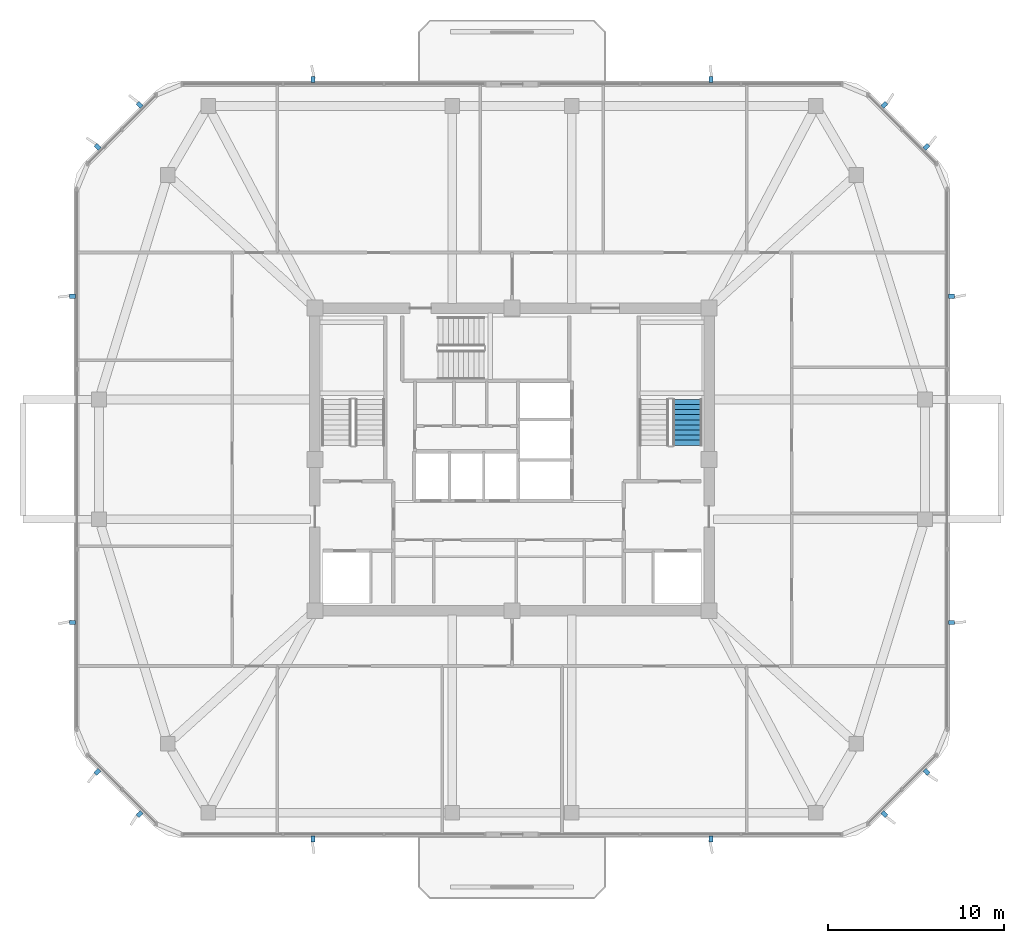
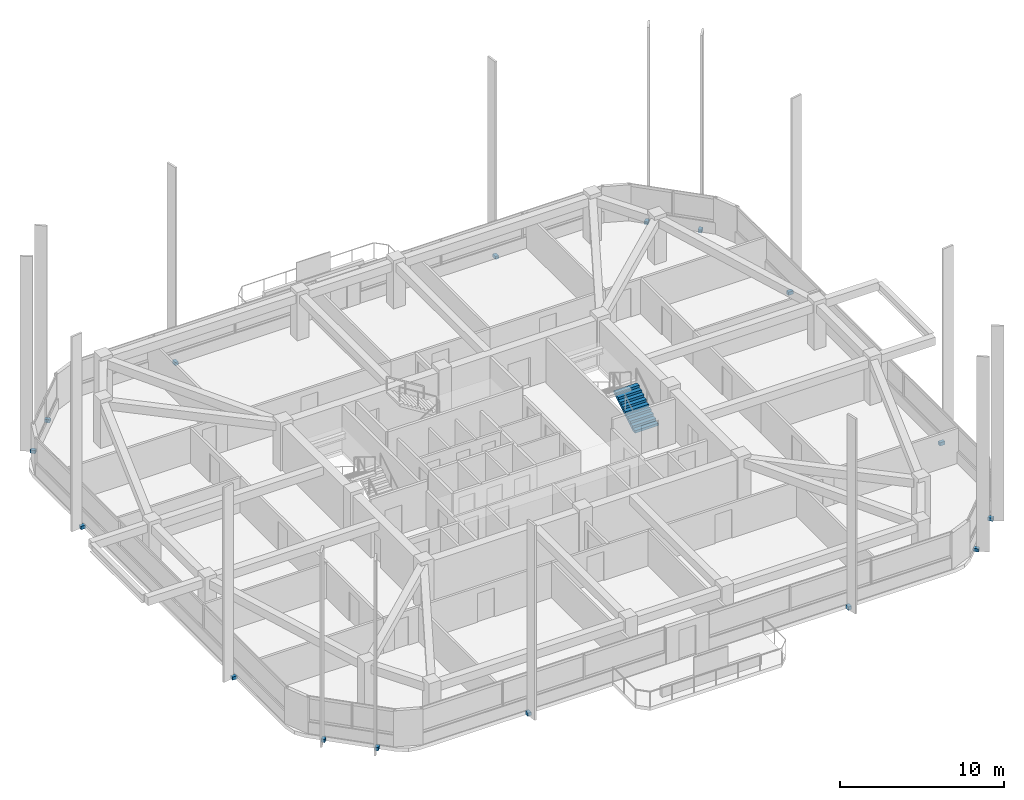
# One storey, part 10 of 13: 16 discrete accessories, 1 stair flight, 1 element without a shape of its own.
"""IFC4 building model written with IfcOpenShell, lengths in metres."""

from ifc_helpers import new_model, si_unit, derived_unit, direction, frame, origin, origin_2d, place, context, subcontext, project, spatial, polyline, rectangle, outline, extrude, material, type_object, element, aggregate, save


model = new_model("IFC4")

# Units and contexts
model_context = context("Model", 3, precision=1e-05, world=origin(), true_north=direction((0.0, 1.0)))
body_context = subcontext(model_context, "Body", "Model", "MODEL_VIEW")
ifc_project = project(units=[si_unit("LENGTHUNIT", "METRE"), si_unit("AREAUNIT", "SQUARE_METRE"), si_unit("VOLUMEUNIT", "CUBIC_METRE"), si_unit("PLANEANGLEUNIT", "RADIAN"), si_unit("MASSUNIT", "GRAM", prefix="KILO"), derived_unit("THERMALTRANSMITTANCEUNIT", [(si_unit("POWERUNIT", "WATT"), 1), (si_unit("LENGTHUNIT", "METRE"), -2), (si_unit("THERMODYNAMICTEMPERATUREUNIT", "KELVIN"), -1)])], contexts=[model_context])

# Site, building, storey
site_placement = place(None, origin())
site = spatial("IfcSite", under=ifc_project, at=site_placement, CompositionType="ELEMENT")
building_placement = place(site_placement, origin())
building = spatial("IfcBuilding", under=site, at=building_placement, Name="Koralith Skygarden Medical Center", CompositionType="ELEMENT")
storey_placement = place(building_placement, frame((0.0, 0.0, 253.6201171875)))
storey = spatial("IfcBuildingStorey", under=building, at=storey_placement, Name="L65", CompositionType="ELEMENT", Elevation=253.6201171875)

# Stair, stair flight
ifc_material_1 = material(Name="Concrete C45/55", Category="concrete")
stair_type = type_object("IfcStairType", Name="Core Exit Dogleg Concrete Stair", PredefinedType="HALF_TURN_STAIR", material=ifc_material_1)
stair_placement = place(storey_placement, origin())
stair = element("IfcStair", 1, at=stair_placement, inside=storey, type_object=stair_type, Name="L65 Smokeproof Exit Stair ST2", PredefinedType="HALF_TURN_STAIR")
stair_flight_type = type_object("IfcStairFlightType", Name="Core Exit Concrete Stair Flight 1650", PredefinedType="STRAIGHT", material=ifc_material_1)
stair_flight_placement = place(storey_placement, frame((46.97509765625, 26.699951171875, 0.0), z_axis=(0.0, 0.0, 1.0), x_axis=(0.0, 1.0, 0.0)))
stair_flight = element("IfcStairFlight", 2, at=stair_flight_placement, type_object=stair_flight_type, Name="ST2 flight 1", NumberOfRisers=10, NumberOfTreads=9, PredefinedType="STRAIGHT", RiserHeight=0.18, TreadLength=0.29, context=body_context, shape_type="SweptSolid", body=[
    extrude(outline(polyline([(0.0, 0.0), (0.0, 0.179931640625), (0.2900390625, 0.179931640625), (0.2900390625, 0.360107421875), (0.580078125, 0.360107421875), (0.580078125, 0.5400390625), (0.8701171875, 0.5400390625), (0.8701171875, 0.719970703125), (1.159912109375, 0.719970703125), (1.159912109375, 0.89990234375), (1.449951171875, 0.89990234375), (1.449951171875, 1.080078125), (1.739990234375, 1.080078125), (1.739990234375, 1.260009765625), (2.030029296875, 1.260009765625), (2.030029296875, 1.43994140625), (2.320068359375, 1.43994140625), (2.320068359375, 1.6201171875), (2.610107421875, 1.6201171875), (2.610107421875, 1.800048828125), (2.610107421875, 1.443603515625), (0.2841796875, 0.0), (0.0, 0.0)])), frame((0.0, 0.824951171875, 0.0), z_axis=(0.0, -1.0, 0.0), x_axis=(1.0, 0.0, 0.0)), (0.0, 0.0, 1.0), 1.64990234375),
])
aggregate(stair, [stair_flight])

# Discrete accessories
ifc_material_2 = material(Name="Steel ASTM A572 Grade 50", Category="steel")
discrete_accessory_type = type_object("IfcDiscreteAccessoryType", Name="Facade Fin Structural Anchor Bracket", PredefinedType="BRACKET", material=ifc_material_2)
for number, where, z_axis, x_axis, name in (
    (3, (25.68994140625, 4.320068359375, -0.26025390625), (0.0, 0.0, 1.0), (0.0, -1.0, 0.0), "L65 S Solar Fin Anchor Bracket 1"),
    (4, (48.31005859375, 4.320068359375, -0.26025390625), (0.0, 0.0, 1.0), (0.0, -1.0, 0.0), "L65 S Solar Fin Anchor Bracket 2"),
    (5, (58.157958984375, 5.743896484375, -0.26025390625), (0.0, 0.0, 1.0), (0.707106781187, -0.707106781187, 0.0), "L65 SE Solar Fin Anchor Bracket 1"),
    (6, (60.555908203125, 8.14208984375, -0.26025390625), (0.0, 0.0, 1.0), (0.707106781187, -0.707106781187, 0.0), "L65 SE Solar Fin Anchor Bracket 2"),
    (7, (61.97998046875, 16.6298828125, -0.26025390625), (0.0, 0.0, 1.0), (1.0, 0.0, 0.0), "L65 E Solar Fin Anchor Bracket 1"),
    (8, (61.97998046875, 35.169921875, -0.26025390625), (0.0, 0.0, 1.0), (1.0, 0.0, 0.0), "L65 E Solar Fin Anchor Bracket 2"),
    (9, (60.555908203125, 43.657958984375, -0.26025390625), (0.0, 0.0, 1.0), (0.707106781187, 0.707106781187, 0.0), "L65 NE Solar Fin Anchor Bracket 1"),
    (10, (58.157958984375, 46.055908203125, -0.26025390625), (0.0, 0.0, 1.0), (0.707106781187, 0.707106781187, 0.0), "L65 NE Solar Fin Anchor Bracket 2"),
    (11, (48.31005859375, 47.47998046875, -0.26025390625), (0.0, 0.0, 1.0), (0.0, 1.0, 0.0), "L65 N Solar Fin Anchor Bracket 1"),
    (12, (25.68994140625, 47.47998046875, -0.26025390625), (0.0, 0.0, 1.0), (0.0, 1.0, 0.0), "L65 N Solar Fin Anchor Bracket 2"),
    (13, (15.842041015625, 46.055908203125, -0.26025390625), (0.0, 0.0, 1.0), (-0.707106781187, 0.707106781187, 0.0), "L65 NW Solar Fin Anchor Bracket 1"),
    (14, (13.444091796875, 43.657958984375, -0.26025390625), (0.0, 0.0, 1.0), (-0.707106781187, 0.707106781187, 0.0), "L65 NW Solar Fin Anchor Bracket 2"),
    (15, (12.02001953125, 35.169921875, -0.26025390625), (0.0, 0.0, 1.0), (-1.0, 0.0, 0.0), "L65 W Solar Fin Anchor Bracket 1"),
    (16, (12.02001953125, 16.6298828125, -0.26025390625), (0.0, 0.0, 1.0), (-1.0, 0.0, 0.0), "L65 W Solar Fin Anchor Bracket 2"),
    (17, (13.444091796875, 8.14208984375, -0.26025390625), (0.0, 0.0, 1.0), (-0.707106781187, -0.707106781187, 0.0), "L65 SW Solar Fin Anchor Bracket 1"),
    (18, (15.842041015625, 5.743896484375, -0.26025390625), (0.0, 0.0, 1.0), (-0.707106781187, -0.707106781187, 0.0), "L65 SW Solar Fin Anchor Bracket 2"),
):
    element("IfcDiscreteAccessory", number, at=place(storey_placement, frame(where, z_axis=z_axis, x_axis=x_axis)), inside=storey, type_object=discrete_accessory_type, Name=name, PredefinedType="BRACKET", context=body_context, shape_type="SweptSolid", body=[
        extrude(rectangle(XDim=0.340087890625, YDim=0.239990234375, at=origin_2d()), origin(), (0.0, 0.0, 1.0), 0.239990234375),
    ])

save(model, "model.ifc")
